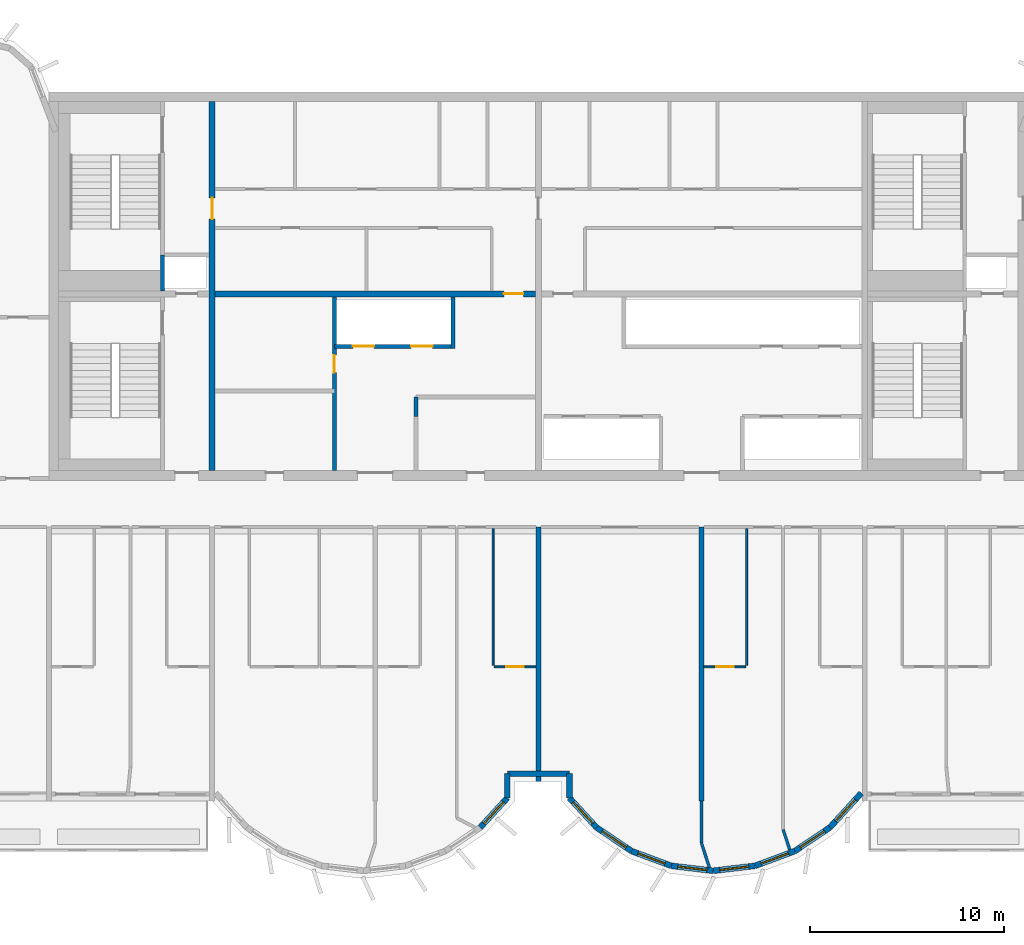
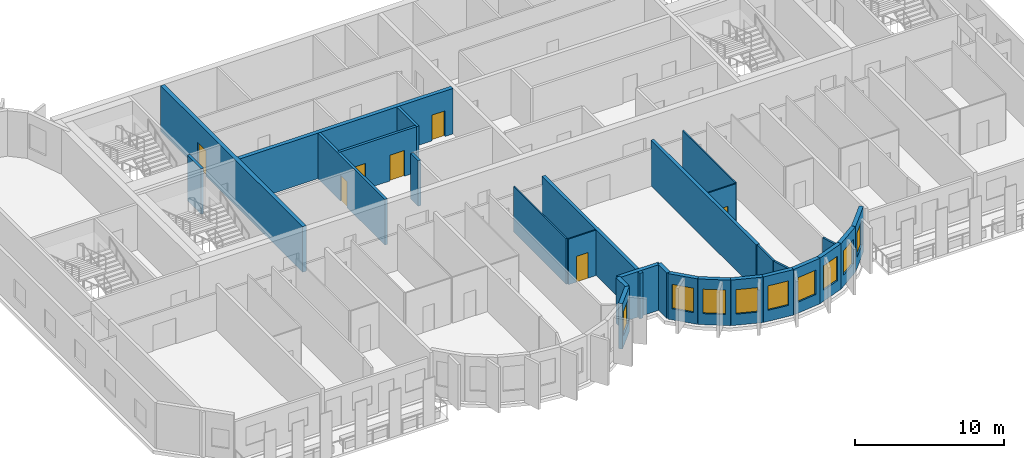
# One storey, part 4 of 12: 28 walls, 9 windows, 7 doors, 16 openings.
"""IFC4 building model written with IfcOpenShell, lengths in metres."""

from ifc_helpers import new_model, si_unit, direction, frame, frame_2d, origin, place, context, subcontext, project, spatial, rectangle, extrude, source, transform, mapped, material, layer, layer_set, type_object, element, fill, save


model = new_model("IFC4")

# Units and contexts
model_context = context("Model", 3, precision=1e-05, world=origin(), true_north=direction((0.0, 1.0)))
body_context = subcontext(model_context, "Body", "Model", "MODEL_VIEW")
ifc_project = project(units=[si_unit("LENGTHUNIT", "METRE"), si_unit("AREAUNIT", "SQUARE_METRE"), si_unit("VOLUMEUNIT", "CUBIC_METRE"), si_unit("PLANEANGLEUNIT", "RADIAN"), si_unit("MASSUNIT", "GRAM", prefix="KILO")], contexts=[model_context])

# Site, building, storey
site_placement = place(None, origin())
site = spatial("IfcSite", under=ifc_project, at=site_placement, CompositionType="ELEMENT")
building_placement = place(site_placement, origin())
building = spatial("IfcBuilding", under=site, at=building_placement, Name="Vanashikhar Sky Hotel", CompositionType="ELEMENT")
storey_placement = place(building_placement, frame((0.0, 0.0, 301.699951171875)))
storey = spatial("IfcBuildingStorey", under=building, at=storey_placement, Name="L72", CompositionType="ELEMENT", Elevation=301.699951171875)

# Wall, opening, door
ifc_material_1 = material(Name="Concrete M50", Category="concrete")
ifc_layer_1 = layer(ifc_material_1, 0.300048828125)
ifc_layer_set_1 = layer_set([ifc_layer_1], Name="RC core inner wall 300 Concrete M50")
wall_type_1 = type_object("IfcWallType", Name="RC core inner wall 300 Concrete M50", PredefinedType="SHEAR", material=ifc_layer_set_1)
shared_shape_1 = source(origin(), body_context, "Body", "SweptSolid", [
    extrude(rectangle(XDim=19.0, YDim=0.300048828125, at=frame_2d((9.5, 0.0))), origin(), (0.0, 0.0, 1.0), 3.719970703125),
])
wall_1_placement = place(storey_placement, frame((33.60009765625, 22.5, 0.0), z_axis=(0.0, 0.0, 1.0), x_axis=(0.0, 1.0, 0.0)))
wall_1 = element("IfcWall", 1, at=wall_1_placement, inside=storey, type_object=wall_type_1, Name="KW-L72-KX1", PredefinedType="SHEAR", context=body_context, shape_type="MappedRepresentation", body=[
    mapped(shared_shape_1, transform((0.0, 0.0, 0.0), scale=1.0)),
])
shared_shape_2 = source(origin(), body_context, "Body", "SweptSolid", [
    extrude(rectangle(XDim=1.10009765625, YDim=2.10009765625, at=frame_2d((0.550048828125, 1.050048828125))), frame((0.0, 0.16015625, 0.0), z_axis=(0.0, -1.0, 0.0), x_axis=(1.0, 0.0, 0.0)), (0.0, 0.0, 1.0), 0.320068359375),
])
opening_1_placement = place(wall_1_placement, frame((12.949951171875, 0.0, 0.0)))
opening_1 = element("IfcOpeningElement", 2, at=opening_1_placement, cuts=wall_1, Name="Opening DC-4-C", PredefinedType="OPENING", context=body_context, shape_type="MappedRepresentation", body=[
    mapped(shared_shape_2, transform((0.0, 0.0, 0.0), scale=1.0)),
])
ifc_material_2 = material(Name="Steel", Category="steel")
door_type_1 = type_object("IfcDoorType", Name="Service door 1100 FD60", OperationType="NOTDEFINED", PredefinedType="DOOR", material=ifc_material_2)
shared_shape_3 = source(origin(), body_context, "Body", "SweptSolid", [
    extrude(rectangle(XDim=1.10009765625, YDim=2.10009765625, at=frame_2d((0.550048828125, 1.050048828125))), frame((0.0, 0.02490234375, 0.0), z_axis=(0.0, -1.0, 0.0), x_axis=(1.0, 0.0, 0.0)), (0.0, 0.0, 1.0), 0.050048828125),
])
door_1_placement = place(opening_1_placement, origin())
door_1 = element("IfcDoor", 3, at=door_1_placement, inside=storey, type_object=door_type_1, Name="Service door 1100 FD60", OperationType="SINGLE_SWING_RIGHT", OverallHeight=2.10009765625, OverallWidth=1.10009765625, PredefinedType="DOOR", context=body_context, shape_type="MappedRepresentation", body=[
    mapped(shared_shape_3, transform((0.0, 0.0, 0.0), scale=1.0)),
])
fill(opening_1, door_1)

shared_shape_4 = source(origin(), body_context, "Body", "SweptSolid", [
    extrude(rectangle(XDim=16.5, YDim=0.300048828125, at=frame_2d((8.25, 0.0))), origin(), (0.0, 0.0, 1.0), 3.719970703125),
])
wall_2_placement = place(storey_placement, frame((33.75, 31.60009765625, 0.0), z_axis=(0.0, 0.0, 1.0), x_axis=(1.0, 0.0, 0.0)))
wall_2 = element("IfcWall", 4, at=wall_2_placement, inside=storey, type_object=wall_type_1, Name="KW-L72-KY2", PredefinedType="SHEAR", context=body_context, shape_type="MappedRepresentation", body=[
    mapped(shared_shape_4, transform((0.0, 0.0, 0.0), scale=1.0)),
])
shared_shape_5 = source(origin(), body_context, "Body", "SweptSolid", [
    extrude(rectangle(XDim=1.0, YDim=2.10009765625, at=frame_2d((0.5, 1.050048828125))), frame((0.0, 0.16015625, 0.0), z_axis=(0.0, -1.0, 0.0), x_axis=(1.0, 0.0, 0.0)), (0.0, 0.0, 1.0), 0.320068359375),
])
opening_2_placement = place(wall_2_placement, frame((14.875, 0.0, 0.0)))
opening_2 = element("IfcOpeningElement", 5, at=opening_2_placement, cuts=wall_2, Name="Opening DC-4", PredefinedType="OPENING", context=body_context, shape_type="MappedRepresentation", body=[
    mapped(shared_shape_5, transform((0.0, 0.0, 0.0), scale=1.0)),
])
door_type_2 = type_object("IfcDoorType", Name="Service door 1000 FD60", OperationType="NOTDEFINED", PredefinedType="DOOR", material=ifc_material_2)
shared_shape_6 = source(origin(), body_context, "Body", "SweptSolid", [
    extrude(rectangle(XDim=1.0, YDim=2.10009765625, at=frame_2d((0.5, 1.050048828125))), frame((0.0, 0.02490234375, 0.0), z_axis=(0.0, -1.0, 0.0), x_axis=(1.0, 0.0, 0.0)), (0.0, 0.0, 1.0), 0.050048828125),
])
door_2_placement = place(opening_2_placement, origin())
door_2 = element("IfcDoor", 6, at=door_2_placement, inside=storey, type_object=door_type_2, Name="Service door 1000 FD60", OperationType="SINGLE_SWING_LEFT", OverallHeight=2.10009765625, OverallWidth=1.0, PredefinedType="DOOR", context=body_context, shape_type="MappedRepresentation", body=[
    mapped(shared_shape_6, transform((0.0, 0.0, 0.0), scale=1.0)),
])
fill(opening_2, door_2)

# Walls
ifc_layer_2 = layer(ifc_material_1, 0.25)
ifc_layer_set_2 = layer_set([ifc_layer_2], Name="RC shear wall 250 Concrete M50")
wall_type_2 = type_object("IfcWallType", Name="RC shear wall 250 Concrete M50", PredefinedType="SHEAR", material=ifc_layer_set_2)
shared_shape_7 = source(origin(), body_context, "Body", "SweptSolid", [
    extrude(rectangle(XDim=14.10009765625, YDim=0.25, at=frame_2d((7.050048828125, 0.0))), origin(), (0.0, 0.0, 1.0), 3.719970703125),
])
wall_3_placement = place(storey_placement, frame((58.800048828125, 5.5, 0.0), z_axis=(0.0, 0.0, 1.0), x_axis=(0.0, 1.0, 0.0)))
element("IfcWall", 7, at=wall_3_placement, inside=storey, type_object=wall_type_2, Name="CW-L72-XW08-1", PredefinedType="SHEAR", context=body_context, shape_type="MappedRepresentation", body=[
    mapped(shared_shape_7, transform((0.0, 0.0, 0.0), scale=1.0)),
])
shared_shape_8 = source(origin(), body_context, "Body", "SweptSolid", [
    extrude(rectangle(XDim=13.10009765625, YDim=0.25, at=frame_2d((6.550048828125, 0.0))), origin(), (0.0, 0.0, 1.0), 3.719970703125),
])
wall_4_placement = place(storey_placement, frame((50.39990234375, 6.5, 0.0), z_axis=(0.0, 0.0, 1.0), x_axis=(0.0, 1.0, 0.0)))
element("IfcWall", 8, at=wall_4_placement, inside=storey, type_object=wall_type_2, Name="CW-L72-XW07-1", PredefinedType="SHEAR", context=body_context, shape_type="MappedRepresentation", body=[
    mapped(shared_shape_8, transform((0.0, 0.0, 0.0), scale=1.0)),
])

# Wall, opening, window
ifc_layer_3 = layer(ifc_material_1, 0.300048828125)
ifc_layer_set_3 = layer_set([ifc_layer_3], Name="Lobe wall 300")
wall_type_3 = type_object("IfcWallType", Name="Lobe wall 300", PredefinedType="SOLIDWALL", material=ifc_layer_set_3)
shared_shape_9 = source(origin(), body_context, "Body", "SweptSolid", [
    extrude(rectangle(XDim=2.398193359375, YDim=0.300048828125, at=frame_2d((1.19921875, 0.0))), origin(), (0.0, 0.0, 1.0), 3.719970703125),
])
wall_5_placement = place(storey_placement, frame((65.404296875, 4.13134765625, 0.0), z_axis=(0.0, 0.0, 1.0), x_axis=(0.675374189419, 0.737475222815, 0.0)))
wall_5 = element("IfcWall", 9, at=wall_5_placement, inside=storey, type_object=wall_type_3, Name="Lobe wall", PredefinedType="SOLIDWALL", context=body_context, shape_type="MappedRepresentation", body=[
    mapped(shared_shape_9, transform((0.0, 0.0, 0.0), scale=1.0)),
])
shared_shape_10 = source(origin(), body_context, "Body", "SweptSolid", [
    extrude(rectangle(XDim=1.5, YDim=2.0, at=frame_2d((0.75, 1.0))), frame((0.0, 0.16015625, 0.0), z_axis=(0.0, -1.0, 0.0), x_axis=(1.0, 0.0, 0.0)), (0.0, 0.0, 1.0), 0.320068359375),
])
opening_3_placement = place(wall_5_placement, frame((0.44921875, 0.0, 0.89990234375)))
opening_3 = element("IfcOpeningElement", 10, at=opening_3_placement, cuts=wall_5, Name="Opening WN-2", PredefinedType="OPENING", context=body_context, shape_type="MappedRepresentation", body=[
    mapped(shared_shape_10, transform((0.0, 0.0, 0.0), scale=1.0)),
])
ifc_material_3 = material(Name="Glass", Category="glass")
window_type = type_object("IfcWindowType", Name="Lobe window 1500 x 2000", PartitioningType="SINGLE_PANEL", PredefinedType="WINDOW", material=ifc_material_3)
shared_shape_11 = source(origin(), body_context, "Body", "SweptSolid", [
    extrude(rectangle(XDim=1.5, YDim=2.0, at=frame_2d((0.75, 1.0))), frame((0.0, 0.030029296875, 0.0), z_axis=(0.0, -1.0, 0.0), x_axis=(1.0, 0.0, 0.0)), (0.0, 0.0, 1.0), 0.06005859375),
])
window_1_placement = place(opening_3_placement, origin())
window_1 = element("IfcWindow", 11, at=window_1_placement, inside=storey, type_object=window_type, Name="Window WN-2", OverallHeight=2.0, OverallWidth=1.5, PartitioningType="SINGLE_PANEL", PredefinedType="WINDOW", context=body_context, shape_type="MappedRepresentation", body=[
    mapped(shared_shape_11, transform((0.0, 0.0, 0.0), scale=1.0)),
])
fill(opening_3, window_1)

shared_shape_12 = source(origin(), body_context, "Body", "SweptSolid", [
    extrude(rectangle(XDim=2.17578125, YDim=0.300048828125, at=frame_2d((1.087890625, 0.0))), origin(), (0.0, 0.0, 1.0), 3.719970703125),
])
wall_6_placement = place(storey_placement, frame((53.395751953125, 4.13134765625, 0.0), z_axis=(0.0, 0.0, 1.0), x_axis=(0.829590746428, -0.558371913192, 0.0)))
wall_6 = element("IfcWall", 12, at=wall_6_placement, inside=storey, type_object=wall_type_3, Name="Lobe wall", PredefinedType="SOLIDWALL", context=body_context, shape_type="MappedRepresentation", body=[
    mapped(shared_shape_12, transform((0.0, 0.0, 0.0), scale=1.0)),
])
opening_4_placement = place(wall_6_placement, frame((0.337890625, 0.0, 0.89990234375)))
opening_4 = element("IfcOpeningElement", 13, at=opening_4_placement, cuts=wall_6, Name="Opening WN-2", PredefinedType="OPENING", context=body_context, shape_type="MappedRepresentation", body=[
    mapped(shared_shape_10, transform((0.0, 0.0, 0.0), scale=1.0)),
])
window_2_placement = place(opening_4_placement, origin())
window_2 = element("IfcWindow", 14, at=window_2_placement, inside=storey, type_object=window_type, Name="Window WN-2", OverallHeight=2.0, OverallWidth=1.5, PartitioningType="SINGLE_PANEL", PredefinedType="WINDOW", context=body_context, shape_type="MappedRepresentation", body=[
    mapped(shared_shape_11, transform((0.0, 0.0, 0.0), scale=1.0)),
])
fill(opening_4, window_2)

wall_7_placement = place(storey_placement, frame((55.20068359375, 2.91650390625, 0.0), z_axis=(0.0, 0.0, 1.0), x_axis=(0.93754555999, -0.347862505801, 0.0)))
wall_7 = element("IfcWall", 15, at=wall_7_placement, inside=storey, type_object=wall_type_3, Name="Lobe wall", PredefinedType="SOLIDWALL", context=body_context, shape_type="MappedRepresentation", body=[
    mapped(shared_shape_12, transform((0.0, 0.0, 0.0), scale=1.0)),
])
opening_5_placement = place(wall_7_placement, frame((0.337890625, 0.0, 0.89990234375)))
opening_5 = element("IfcOpeningElement", 16, at=opening_5_placement, cuts=wall_7, Name="Opening WN-2", PredefinedType="OPENING", context=body_context, shape_type="MappedRepresentation", body=[
    mapped(shared_shape_10, transform((0.0, 0.0, 0.0), scale=1.0)),
])
window_3_placement = place(opening_5_placement, origin())
window_3 = element("IfcWindow", 17, at=window_3_placement, inside=storey, type_object=window_type, Name="Window WN-2", OverallHeight=2.0, OverallWidth=1.5, PartitioningType="SINGLE_PANEL", PredefinedType="WINDOW", context=body_context, shape_type="MappedRepresentation", body=[
    mapped(shared_shape_11, transform((0.0, 0.0, 0.0), scale=1.0)),
])
fill(opening_5, window_3)

wall_8_placement = place(storey_placement, frame((63.59912109375, 2.91650390625, 0.0), z_axis=(0.0, 0.0, 1.0), x_axis=(0.829625727223, 0.558319937607, 0.0)))
wall_8 = element("IfcWall", 18, at=wall_8_placement, inside=storey, type_object=wall_type_3, Name="Lobe wall", PredefinedType="SOLIDWALL", context=body_context, shape_type="MappedRepresentation", body=[
    mapped(shared_shape_12, transform((0.0, 0.0, 0.0), scale=1.0)),
])
opening_6_placement = place(wall_8_placement, frame((0.337890625, 0.0, 0.89990234375)))
opening_6 = element("IfcOpeningElement", 19, at=opening_6_placement, cuts=wall_8, Name="Opening WN-2", PredefinedType="OPENING", context=body_context, shape_type="MappedRepresentation", body=[
    mapped(shared_shape_10, transform((0.0, 0.0, 0.0), scale=1.0)),
])
window_4_placement = place(opening_6_placement, origin())
window_4 = element("IfcWindow", 20, at=window_4_placement, inside=storey, type_object=window_type, Name="Window WN-2", OverallHeight=2.0, OverallWidth=1.5, PartitioningType="SINGLE_PANEL", PredefinedType="WINDOW", context=body_context, shape_type="MappedRepresentation", body=[
    mapped(shared_shape_11, transform((0.0, 0.0, 0.0), scale=1.0)),
])
fill(opening_6, window_4)

shared_shape_13 = source(origin(), body_context, "Body", "SweptSolid", [
    extrude(rectangle(XDim=2.174560546875, YDim=0.300048828125, at=frame_2d((1.08740234375, 0.0))), origin(), (0.0, 0.0, 1.0), 3.719970703125),
])
wall_9_placement = place(storey_placement, frame((57.240478515625, 2.15966796875, 0.0), z_axis=(0.0, 0.0, 1.0), x_axis=(0.993001132889, -0.118104826659, 0.0)))
wall_9 = element("IfcWall", 21, at=wall_9_placement, inside=storey, type_object=wall_type_3, Name="Lobe wall", PredefinedType="SOLIDWALL", context=body_context, shape_type="MappedRepresentation", body=[
    mapped(shared_shape_13, transform((0.0, 0.0, 0.0), scale=1.0)),
])
opening_7_placement = place(wall_9_placement, frame((0.33740234375, 0.0, 0.89990234375)))
opening_7 = element("IfcOpeningElement", 22, at=opening_7_placement, cuts=wall_9, Name="Opening WN-2", PredefinedType="OPENING", context=body_context, shape_type="MappedRepresentation", body=[
    mapped(shared_shape_10, transform((0.0, 0.0, 0.0), scale=1.0)),
])
window_5_placement = place(opening_7_placement, origin())
window_5 = element("IfcWindow", 23, at=window_5_placement, inside=storey, type_object=window_type, Name="Window WN-2", OverallHeight=2.0, OverallWidth=1.5, PartitioningType="SINGLE_PANEL", PredefinedType="WINDOW", context=body_context, shape_type="MappedRepresentation", body=[
    mapped(shared_shape_11, transform((0.0, 0.0, 0.0), scale=1.0)),
])
fill(opening_7, window_5)

shared_shape_14 = source(origin(), body_context, "Body", "SweptSolid", [
    extrude(rectangle(XDim=2.1748046875, YDim=0.300048828125, at=frame_2d((1.08740234375, 0.0))), origin(), (0.0, 0.0, 1.0), 3.719970703125),
])
wall_10_placement = place(storey_placement, frame((59.39990234375, 1.90283203125, 0.0), z_axis=(0.0, 0.0, 1.0), x_axis=(0.993002698611, 0.118091661648, 0.0)))
wall_10 = element("IfcWall", 24, at=wall_10_placement, inside=storey, type_object=wall_type_3, Name="Lobe wall", PredefinedType="SOLIDWALL", context=body_context, shape_type="MappedRepresentation", body=[
    mapped(shared_shape_14, transform((0.0, 0.0, 0.0), scale=1.0)),
])
opening_8_placement = place(wall_10_placement, frame((0.33740234375, 0.0, 0.89990234375)))
opening_8 = element("IfcOpeningElement", 25, at=opening_8_placement, cuts=wall_10, Name="Opening WN-2", PredefinedType="OPENING", context=body_context, shape_type="MappedRepresentation", body=[
    mapped(shared_shape_10, transform((0.0, 0.0, 0.0), scale=1.0)),
])
window_6_placement = place(opening_8_placement, origin())
window_6 = element("IfcWindow", 26, at=window_6_placement, inside=storey, type_object=window_type, Name="Window WN-2", OverallHeight=2.0, OverallWidth=1.5, PartitioningType="SINGLE_PANEL", PredefinedType="WINDOW", context=body_context, shape_type="MappedRepresentation", body=[
    mapped(shared_shape_11, transform((0.0, 0.0, 0.0), scale=1.0)),
])
fill(opening_8, window_6)

shared_shape_15 = source(origin(), body_context, "Body", "SweptSolid", [
    extrude(rectangle(XDim=2.175537109375, YDim=0.300048828125, at=frame_2d((1.087890625, 0.0))), origin(), (0.0, 0.0, 1.0), 3.719970703125),
])
wall_11_placement = place(storey_placement, frame((61.5595703125, 2.15966796875, 0.0), z_axis=(0.0, 0.0, 1.0), x_axis=(0.937531979054, 0.347899106424, 0.0)))
wall_11 = element("IfcWall", 27, at=wall_11_placement, inside=storey, type_object=wall_type_3, Name="Lobe wall", PredefinedType="SOLIDWALL", context=body_context, shape_type="MappedRepresentation", body=[
    mapped(shared_shape_15, transform((0.0, 0.0, 0.0), scale=1.0)),
])
opening_9_placement = place(wall_11_placement, frame((0.337890625, 0.0, 0.89990234375)))
opening_9 = element("IfcOpeningElement", 28, at=opening_9_placement, cuts=wall_11, Name="Opening WN-2", PredefinedType="OPENING", context=body_context, shape_type="MappedRepresentation", body=[
    mapped(shared_shape_10, transform((0.0, 0.0, 0.0), scale=1.0)),
])
window_7_placement = place(opening_9_placement, origin())
window_7 = element("IfcWindow", 29, at=window_7_placement, inside=storey, type_object=window_type, Name="Window WN-2", OverallHeight=2.0, OverallWidth=1.5, PartitioningType="SINGLE_PANEL", PredefinedType="WINDOW", context=body_context, shape_type="MappedRepresentation", body=[
    mapped(shared_shape_11, transform((0.0, 0.0, 0.0), scale=1.0)),
])
fill(opening_9, window_7)

shared_shape_16 = source(origin(), body_context, "Body", "SweptSolid", [
    extrude(rectangle(XDim=2.066650390625, YDim=0.300048828125, at=frame_2d((1.033203125, 0.0))), origin(), (0.0, 0.0, 1.0), 3.719970703125),
])
wall_12_placement = place(storey_placement, frame((47.404296875, 4.13134765625, 0.0), z_axis=(0.0, 0.0, 1.0), x_axis=(0.675355439877, 0.737492393065, 0.0)))
wall_12 = element("IfcWall", 30, at=wall_12_placement, inside=storey, type_object=wall_type_3, Name="Lobe wall", PredefinedType="SOLIDWALL", context=body_context, shape_type="MappedRepresentation", body=[
    mapped(shared_shape_16, transform((0.0, 0.0, 0.0), scale=1.0)),
])
opening_10_placement = place(wall_12_placement, frame((0.283447265625, 0.0, 0.89990234375)))
opening_10 = element("IfcOpeningElement", 31, at=opening_10_placement, cuts=wall_12, Name="Opening WN-2", PredefinedType="OPENING", context=body_context, shape_type="MappedRepresentation", body=[
    mapped(shared_shape_10, transform((0.0, 0.0, 0.0), scale=1.0)),
])
window_8_placement = place(opening_10_placement, origin())
window_8 = element("IfcWindow", 32, at=window_8_placement, inside=storey, type_object=window_type, Name="Window WN-2", OverallHeight=2.0, OverallWidth=1.5, PartitioningType="SINGLE_PANEL", PredefinedType="WINDOW", context=body_context, shape_type="MappedRepresentation", body=[
    mapped(shared_shape_11, transform((0.0, 0.0, 0.0), scale=1.0)),
])
fill(opening_10, window_8)

wall_13_placement = place(storey_placement, frame((52.0, 5.655517578125, 0.0), z_axis=(0.0, 0.0, 1.0), x_axis=(0.675355439877, -0.737492393065, 0.0)))
wall_13 = element("IfcWall", 33, at=wall_13_placement, inside=storey, type_object=wall_type_3, Name="Lobe wall", PredefinedType="SOLIDWALL", context=body_context, shape_type="MappedRepresentation", body=[
    mapped(shared_shape_16, transform((0.0, 0.0, 0.0), scale=1.0)),
])
opening_11_placement = place(wall_13_placement, frame((0.283447265625, 0.0, 0.89990234375)))
opening_11 = element("IfcOpeningElement", 34, at=opening_11_placement, cuts=wall_13, Name="Opening WN-2", PredefinedType="OPENING", context=body_context, shape_type="MappedRepresentation", body=[
    mapped(shared_shape_10, transform((0.0, 0.0, 0.0), scale=1.0)),
])
window_9_placement = place(opening_11_placement, origin())
window_9 = element("IfcWindow", 35, at=window_9_placement, inside=storey, type_object=window_type, Name="Window WN-2", OverallHeight=2.0, OverallWidth=1.5, PartitioningType="SINGLE_PANEL", PredefinedType="WINDOW", context=body_context, shape_type="MappedRepresentation", body=[
    mapped(shared_shape_11, transform((0.0, 0.0, 0.0), scale=1.0)),
])
fill(opening_11, window_9)

# Walls
shared_shape_17 = source(origin(), body_context, "Body", "SweptSolid", [
    extrude(rectangle(XDim=1.244384765625, YDim=0.300048828125, at=frame_2d((0.6220703125, 0.0))), origin(), (0.0, 0.0, 1.0), 3.719970703125),
])
for number, where, z_axis, x_axis, name in (
    (36, (48.800048828125, 5.655517578125, 0.0), (0.0, 0.0, 1.0), (0.0, 1.0, 0.0), "Groove wall"),
    (37, (52.0, 6.89990234375, 0.0), (0.0, 0.0, 1.0), (0.0, -1.0, 0.0), "Groove wall"),
):
    element("IfcWall", number, at=place(storey_placement, frame(where, z_axis=z_axis, x_axis=x_axis)), inside=storey, type_object=wall_type_3, Name=name, PredefinedType="SOLIDWALL", context=body_context, shape_type="MappedRepresentation", body=[
        mapped(shared_shape_17, transform((0.0, 0.0, 0.0), scale=1.0)),
    ])
shared_shape_18 = source(origin(), body_context, "Body", "SweptSolid", [
    extrude(rectangle(XDim=3.199951171875, YDim=0.300048828125, at=frame_2d((1.60009765625, 0.0))), origin(), (0.0, 0.0, 1.0), 3.719970703125),
])
wall_14_placement = place(storey_placement, frame((48.800048828125, 6.89990234375, 0.0), z_axis=(0.0, 0.0, 1.0), x_axis=(1.0, 0.0, 0.0)))
element("IfcWall", 38, at=wall_14_placement, inside=storey, type_object=wall_type_3, Name="Groove wall", PredefinedType="SOLIDWALL", context=body_context, shape_type="MappedRepresentation", body=[
    mapped(shared_shape_18, transform((0.0, 0.0, 0.0), scale=1.0)),
])

# Wall, openings, doors
ifc_material_4 = material(Name="Concrete M40", Category="concrete")
ifc_layer_4 = layer(ifc_material_4, 0.199951171875)
ifc_layer_set_4 = layer_set([ifc_layer_4], Name="Shaft wall 200")
wall_type_4 = type_object("IfcWallType", Name="Shaft wall 200", PredefinedType="SOLIDWALL", material=ifc_layer_set_4)
shared_shape_19 = source(origin(), body_context, "Body", "SweptSolid", [
    extrude(rectangle(XDim=6.0, YDim=0.199951171875, at=frame_2d((3.0, 0.0))), origin(), (0.0, 0.0, 1.0), 3.719970703125),
])
wall_15_placement = place(storey_placement, frame((39.89990234375, 28.89990234375, 0.0), z_axis=(0.0, 0.0, 1.0), x_axis=(1.0, 0.0, 0.0)))
wall_15 = element("IfcWall", 39, at=wall_15_placement, inside=storey, type_object=wall_type_4, Name="Shaft wall 200", PredefinedType="SOLIDWALL", context=body_context, shape_type="MappedRepresentation", body=[
    mapped(shared_shape_19, transform((0.0, 0.0, 0.0), scale=1.0)),
])
shared_shape_20 = source(origin(), body_context, "Body", "SweptSolid", [
    extrude(rectangle(XDim=1.10009765625, YDim=2.10009765625, at=frame_2d((0.550048828125, 1.050048828125))), frame((0.0, 0.10986328125, 0.0), z_axis=(0.0, -1.0, 0.0), x_axis=(1.0, 0.0, 0.0)), (0.0, 0.0, 1.0), 0.219970703125),
])
opening_12_placement = place(wall_15_placement, frame((0.949951171875, 0.0, 0.0)))
opening_12 = element("IfcOpeningElement", 40, at=opening_12_placement, cuts=wall_15, Name="Opening LD", PredefinedType="OPENING", context=body_context, shape_type="MappedRepresentation", body=[
    mapped(shared_shape_20, transform((0.0, 0.0, 0.0), scale=1.0)),
])
opening_13_placement = place(wall_15_placement, frame((3.949951171875, 0.0, 0.0)))
opening_13 = element("IfcOpeningElement", 41, at=opening_13_placement, cuts=wall_15, Name="Opening LD", PredefinedType="OPENING", context=body_context, shape_type="MappedRepresentation", body=[
    mapped(shared_shape_20, transform((0.0, 0.0, 0.0), scale=1.0)),
])
ifc_material_5 = material(Name="Stainless steel", Category="steel")
door_type_3 = type_object("IfcDoorType", Name="Lift landing door 1100", OperationType="NOTDEFINED", PredefinedType="DOOR", material=ifc_material_5)
door_3_placement = place(opening_12_placement, origin())
door_3 = element("IfcDoor", 42, at=door_3_placement, inside=storey, type_object=door_type_3, Name="Lift landing door 1100", OperationType="SLIDING_TO_LEFT", OverallHeight=2.10009765625, OverallWidth=1.10009765625, PredefinedType="DOOR", context=body_context, shape_type="MappedRepresentation", body=[
    mapped(shared_shape_3, transform((0.0, 0.0, 0.0), scale=1.0)),
])
fill(opening_12, door_3)
door_4_placement = place(opening_13_placement, origin())
door_4 = element("IfcDoor", 43, at=door_4_placement, inside=storey, type_object=door_type_3, Name="Lift landing door 1100", OperationType="SLIDING_TO_RIGHT", OverallHeight=2.10009765625, OverallWidth=1.10009765625, PredefinedType="DOOR", context=body_context, shape_type="MappedRepresentation", body=[
    mapped(shared_shape_3, transform((0.0, 0.0, 0.0), scale=1.0)),
])
fill(opening_13, door_4)

# Wall, opening, door
ifc_material_6 = material(Name="Gypsum board partition")
ifc_layer_5 = layer(ifc_material_6, 0.14990234375)
ifc_layer_set_5 = layer_set([ifc_layer_5], Name="Service partition 150")
wall_type_5 = type_object("IfcWallType", Name="Service partition 150", PredefinedType="PARTITIONING", material=ifc_layer_set_5)
shared_shape_21 = source(origin(), body_context, "Body", "SweptSolid", [
    extrude(rectangle(XDim=8.949951171875, YDim=0.199951171875, at=frame_2d((4.47509765625, 0.0))), origin(), (0.0, 0.0, 1.0), 3.719970703125),
])
wall_16_placement = place(storey_placement, frame((39.89990234375, 22.5, 0.0), z_axis=(0.0, 0.0, 1.0), x_axis=(0.0, 1.0, 0.0)))
wall_16 = element("IfcWall", 44, at=wall_16_placement, inside=storey, type_object=wall_type_5, Name="Service partition 150", PredefinedType="PARTITIONING", context=body_context, shape_type="MappedRepresentation", body=[
    mapped(shared_shape_21, transform((0.0, 0.0, 0.0), scale=1.0)),
])
shared_shape_22 = source(origin(), body_context, "Body", "SweptSolid", [
    extrude(rectangle(XDim=0.89990234375, YDim=2.10009765625, at=frame_2d((0.449951171875, 1.050048828125))), frame((0.0, 0.10986328125, 0.0), z_axis=(0.0, -1.0, 0.0), x_axis=(1.0, 0.0, 0.0)), (0.0, 0.0, 1.0), 0.219970703125),
])
opening_14_placement = place(wall_16_placement, frame((5.050048828125, 0.0, 0.0)))
opening_14 = element("IfcOpeningElement", 45, at=opening_14_placement, cuts=wall_16, Name="Opening DC-4-A", PredefinedType="OPENING", context=body_context, shape_type="MappedRepresentation", body=[
    mapped(shared_shape_22, transform((0.0, 0.0, 0.0), scale=1.0)),
])
door_type_4 = type_object("IfcDoorType", Name="Service door 900 FD60", OperationType="NOTDEFINED", PredefinedType="DOOR", material=ifc_material_2)
shared_shape_23 = source(origin(), body_context, "Body", "SweptSolid", [
    extrude(rectangle(XDim=0.89990234375, YDim=2.10009765625, at=frame_2d((0.449951171875, 1.050048828125))), frame((0.0, 0.02490234375, 0.0), z_axis=(0.0, -1.0, 0.0), x_axis=(1.0, 0.0, 0.0)), (0.0, 0.0, 1.0), 0.050048828125),
])
door_5_placement = place(opening_14_placement, origin())
door_5 = element("IfcDoor", 46, at=door_5_placement, inside=storey, type_object=door_type_4, Name="Service door 900 FD60", OperationType="SINGLE_SWING_LEFT", OverallHeight=2.10009765625, OverallWidth=0.89990234375, PredefinedType="DOOR", context=body_context, shape_type="MappedRepresentation", body=[
    mapped(shared_shape_23, transform((0.0, 0.0, 0.0), scale=1.0)),
])
fill(opening_14, door_5)

# Walls
shared_shape_24 = source(origin(), body_context, "Body", "SweptSolid", [
    extrude(rectangle(XDim=2.64990234375, YDim=0.199951171875, at=frame_2d((1.324951171875, 0.0))), origin(), (0.0, 0.0, 1.0), 3.719970703125),
])
wall_17_placement = place(storey_placement, frame((46.0, 28.800048828125, 0.0), z_axis=(0.0, 0.0, 1.0), x_axis=(0.0, 1.0, 0.0)))
element("IfcWall", 47, at=wall_17_placement, inside=storey, type_object=wall_type_4, Name="Shaft wall 200", PredefinedType="SOLIDWALL", context=body_context, shape_type="MappedRepresentation", body=[
    mapped(shared_shape_24, transform((0.0, 0.0, 0.0), scale=1.0)),
])
shared_shape_25 = source(origin(), body_context, "Body", "SweptSolid", [
    extrude(rectangle(XDim=1.0, YDim=0.199951171875, at=frame_2d((0.5, 0.0))), origin(), (0.0, 0.0, 1.0), 3.719970703125),
])
wall_18_placement = place(storey_placement, frame((44.10009765625, 25.300048828125, 0.0), z_axis=(0.0, 0.0, 1.0), x_axis=(0.0, 1.0, 0.0)))
element("IfcWall", 48, at=wall_18_placement, inside=storey, type_object=wall_type_5, Name="Service partition 150", PredefinedType="PARTITIONING", context=body_context, shape_type="MappedRepresentation", body=[
    mapped(shared_shape_25, transform((0.0, 0.0, 0.0), scale=1.0)),
])
shared_shape_26 = source(origin(), body_context, "Body", "SweptSolid", [
    extrude(rectangle(XDim=1.85009765625, YDim=0.199951171875, at=frame_2d((0.925048828125, 0.0))), origin(), (0.0, 0.0, 1.0), 3.719970703125),
])
wall_19_placement = place(storey_placement, frame((31.050048828125, 31.75, 0.0), z_axis=(0.0, 0.0, 1.0), x_axis=(0.0, 1.0, 0.0)))
element("IfcWall", 49, at=wall_19_placement, inside=storey, type_object=wall_type_4, Name="Shaft wall 200", PredefinedType="SOLIDWALL", context=body_context, shape_type="MappedRepresentation", body=[
    mapped(shared_shape_26, transform((0.0, 0.0, 0.0), scale=1.0)),
])
ifc_material_7 = material(Name="Gypsum plasterboard partition")
ifc_layer_6 = layer(ifc_material_7, 0.14990234375)
ifc_layer_set_6 = layer_set([ifc_layer_6], Name="Corridor and demising partition 150")
wall_type_6 = type_object("IfcWallType", Name="Corridor and demising partition 150", PredefinedType="PARTITIONING", material=ifc_layer_set_6)
shared_shape_27 = source(origin(), body_context, "Body", "SweptSolid", [
    extrude(rectangle(XDim=2.177978515625, YDim=0.14990234375, at=frame_2d((1.0888671875, 0.0))), origin(), (0.0, 0.0, 1.0), 3.719970703125),
])
wall_20_placement = place(storey_placement, frame((58.800048828125, 3.322021484375, 0.0), z_axis=(0.0, 0.0, 1.0), x_axis=(0.0, 1.0, 0.0)))
element("IfcWall", 50, at=wall_20_placement, inside=storey, type_object=wall_type_6, Name="W-L72-PW042", PredefinedType="PARTITIONING", context=body_context, shape_type="MappedRepresentation", body=[
    mapped(shared_shape_27, transform((0.0, 0.0, 0.0), scale=1.0)),
])
shared_shape_28 = source(origin(), body_context, "Body", "SweptSolid", [
    extrude(rectangle(XDim=1.308349609375, YDim=0.14990234375, at=frame_2d((0.654296875, 0.0))), origin(), (0.0, 0.0, 1.0), 3.719970703125),
])
wall_21_placement = place(storey_placement, frame((59.201904296875, 2.076904296875, 0.0), z_axis=(0.0, 0.0, 1.0), x_axis=(-0.307144529633, 0.951662880392, 0.0)))
element("IfcWall", 51, at=wall_21_placement, inside=storey, type_object=wall_type_6, Name="W-L72-PW042B0", PredefinedType="PARTITIONING", context=body_context, shape_type="MappedRepresentation", body=[
    mapped(shared_shape_28, transform((0.0, 0.0, 0.0), scale=1.0)),
])
shared_shape_29 = source(origin(), body_context, "Body", "SweptSolid", [
    extrude(rectangle(XDim=1.100830078125, YDim=0.14990234375, at=frame_2d((0.55029296875, 0.0))), origin(), (0.0, 0.0, 1.0), 3.719970703125),
])
wall_22_placement = place(storey_placement, frame((63.343017578125, 2.98095703125, 0.0), z_axis=(0.0, 0.0, 1.0), x_axis=(-0.311567081539, 0.950224159712, 0.0)))
element("IfcWall", 52, at=wall_22_placement, inside=storey, type_object=wall_type_6, Name="W-L72-PW028B0", PredefinedType="PARTITIONING", context=body_context, shape_type="MappedRepresentation", body=[
    mapped(shared_shape_29, transform((0.0, 0.0, 0.0), scale=1.0)),
])
ifc_layer_7 = layer(ifc_material_7, 0.10009765625)
ifc_layer_set_7 = layer_set([ifc_layer_7], Name="Wet room partition 100")
wall_type_7 = type_object("IfcWallType", Name="Wet room partition 100", PredefinedType="PARTITIONING", material=ifc_layer_set_7)
shared_shape_30 = source(origin(), body_context, "Body", "SweptSolid", [
    extrude(rectangle(XDim=7.0498046875, YDim=0.10009765625, at=frame_2d((3.52490234375, 0.0))), origin(), (0.0, 0.0, 1.0), 3.719970703125),
])
for number, where, z_axis, x_axis, name in (
    (53, (48.074951171875, 12.47509765625, 0.0), (0.0, 0.0, 1.0), (0.0, 1.0, 0.0), "W-L72-PW017"),
    (54, (61.125, 12.47509765625, 0.0), (0.0, 0.0, 1.0), (0.0, 1.0, 0.0), "W-L72-PW022"),
):
    element("IfcWall", number, at=place(storey_placement, frame(where, z_axis=z_axis, x_axis=x_axis)), inside=storey, type_object=wall_type_7, Name=name, PredefinedType="PARTITIONING", context=body_context, shape_type="MappedRepresentation", body=[
        mapped(shared_shape_30, transform((0.0, 0.0, 0.0), scale=1.0)),
    ])

# Wall, opening, door
shared_shape_31 = source(origin(), body_context, "Body", "SweptSolid", [
    extrude(rectangle(XDim=2.14990234375, YDim=0.10009765625, at=frame_2d((1.074951171875, 0.0))), origin(), (0.0, 0.0, 1.0), 3.719970703125),
])
wall_23_placement = place(storey_placement, frame((48.125, 12.39990234375, 0.0), z_axis=(0.0, 0.0, 1.0), x_axis=(1.0, 0.0, 0.0)))
wall_23 = element("IfcWall", 55, at=wall_23_placement, inside=storey, type_object=wall_type_7, Name="W-L72-PW018", PredefinedType="PARTITIONING", context=body_context, shape_type="MappedRepresentation", body=[
    mapped(shared_shape_31, transform((0.0, 0.0, 0.0), scale=1.0)),
])
shared_shape_32 = source(origin(), body_context, "Body", "SweptSolid", [
    extrude(rectangle(XDim=0.89990234375, YDim=2.10009765625, at=frame_2d((0.449951171875, 1.050048828125))), frame((0.0, 0.06005859375, 0.0), z_axis=(0.0, -1.0, 0.0), x_axis=(1.0, 0.0, 0.0)), (0.0, 0.0, 1.0), 0.1201171875),
])
opening_15_placement = place(wall_23_placement, frame((0.625, 0.0, 0.0)))
opening_15 = element("IfcOpeningElement", 56, at=opening_15_placement, cuts=wall_23, Name="Opening D-02", PredefinedType="OPENING", context=body_context, shape_type="MappedRepresentation", body=[
    mapped(shared_shape_32, transform((0.0, 0.0, 0.0), scale=1.0)),
])
ifc_material_8 = material(Name="Timber door", Category="wood")
door_type_5 = type_object("IfcDoorType", Name="Internal door 900", OperationType="NOTDEFINED", PredefinedType="DOOR", material=ifc_material_8)
door_6_placement = place(opening_15_placement, origin())
door_6 = element("IfcDoor", 57, at=door_6_placement, inside=storey, type_object=door_type_5, Name="D-L72-011", OperationType="SINGLE_SWING_LEFT", OverallHeight=2.10009765625, OverallWidth=0.89990234375, PredefinedType="DOOR", context=body_context, shape_type="MappedRepresentation", body=[
    mapped(shared_shape_23, transform((0.0, 0.0, 0.0), scale=1.0)),
])
fill(opening_15, door_6)

wall_24_placement = place(storey_placement, frame((58.925048828125, 12.39990234375, 0.0), z_axis=(0.0, 0.0, 1.0), x_axis=(1.0, 0.0, 0.0)))
wall_24 = element("IfcWall", 58, at=wall_24_placement, inside=storey, type_object=wall_type_7, Name="W-L72-PW023", PredefinedType="PARTITIONING", context=body_context, shape_type="MappedRepresentation", body=[
    mapped(shared_shape_31, transform((0.0, 0.0, 0.0), scale=1.0)),
])
opening_16_placement = place(wall_24_placement, frame((0.625, 0.0, 0.0)))
opening_16 = element("IfcOpeningElement", 59, at=opening_16_placement, cuts=wall_24, Name="Opening D-02", PredefinedType="OPENING", context=body_context, shape_type="MappedRepresentation", body=[
    mapped(shared_shape_32, transform((0.0, 0.0, 0.0), scale=1.0)),
])
door_7_placement = place(opening_16_placement, origin())
door_7 = element("IfcDoor", 60, at=door_7_placement, inside=storey, type_object=door_type_5, Name="D-L72-014", OperationType="SINGLE_SWING_RIGHT", OverallHeight=2.10009765625, OverallWidth=0.89990234375, PredefinedType="DOOR", context=body_context, shape_type="MappedRepresentation", body=[
    mapped(shared_shape_23, transform((0.0, 0.0, 0.0), scale=1.0)),
])
fill(opening_16, door_7)

save(model, "model.ifc")
